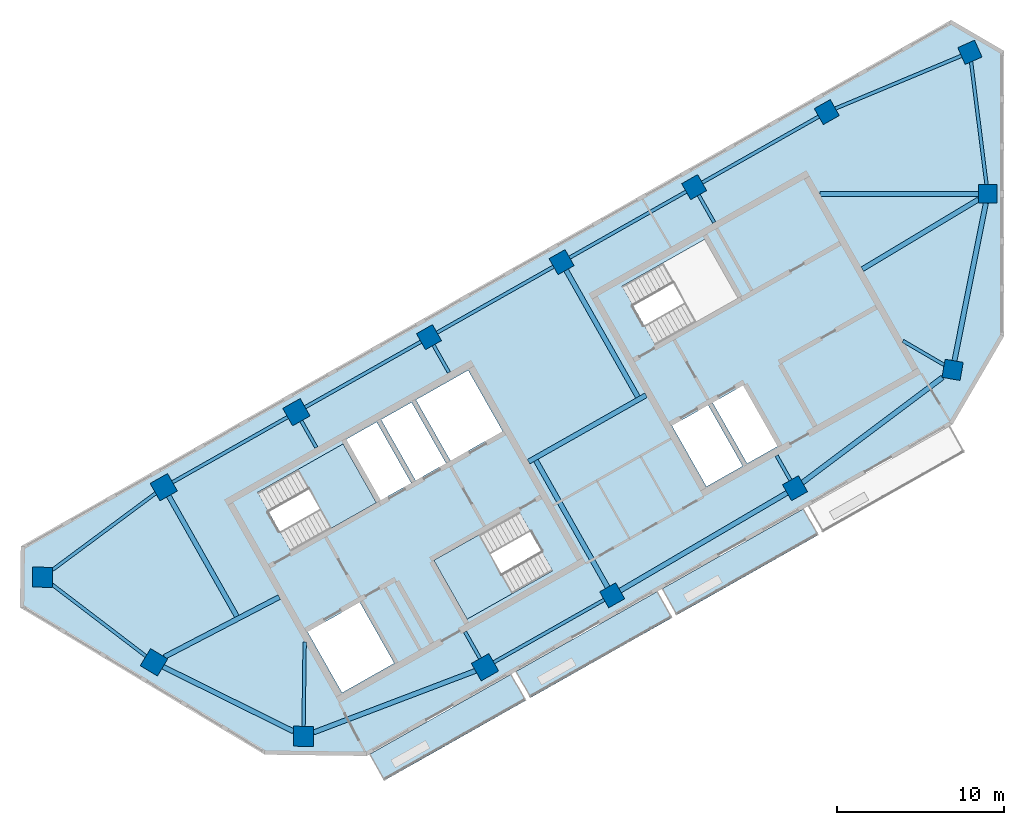
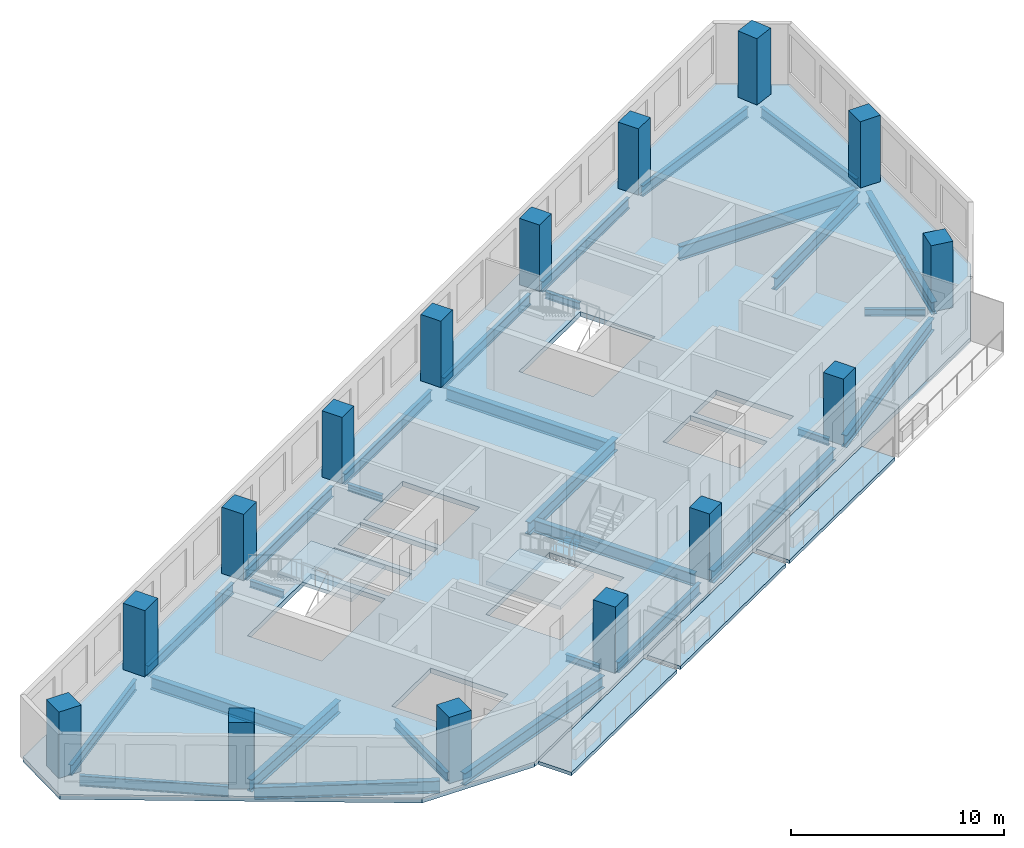
# One storey, part 1 of 7: 29 beams, 15 columns, 6 slabs, 2 elements without a shape of their own.
"""IFC4 building model written with IfcOpenShell, lengths in metres."""

from ifc_helpers import new_model, si_unit, direction, frame, origin, origin_2d, place, context, subcontext, project, spatial, polyline, rectangle, i_section, outline, extrude, material, layer, layer_set, material_profile, profile_set, type_object, element, aggregate, save


model = new_model("IFC4")

# Units and contexts
model_context = context("Model", 3, precision=1e-05, world=origin(), true_north=direction((0.0, 1.0)))
body_context = subcontext(model_context, "Body", "Model", "MODEL_VIEW")
ifc_project = project(units=[si_unit("LENGTHUNIT", "METRE"), si_unit("AREAUNIT", "SQUARE_METRE"), si_unit("VOLUMEUNIT", "CUBIC_METRE"), si_unit("PLANEANGLEUNIT", "RADIAN"), si_unit("MASSUNIT", "GRAM", prefix="KILO")], contexts=[model_context])

# Site, building, storey
site_placement = place(None, origin())
site = spatial("IfcSite", under=ifc_project, at=site_placement, CompositionType="ELEMENT")
building_placement = place(site_placement, origin())
building = spatial("IfcBuilding", under=site, at=building_placement, Name="Binnacle Exchange Tower", CompositionType="ELEMENT")
storey_placement = place(building_placement, frame((0.0, 0.0, 304.5)))
storey = spatial("IfcBuildingStorey", under=building, at=storey_placement, Name="L68", CompositionType="ELEMENT", Elevation=304.5)

# Columns
ifc_material_1 = material(Name="Concrete C60/75", Category="concrete")
ifc_material_profile_1 = material_profile(ifc_material_1, rectangle(XDim=1.10009765625, YDim=1.10009765625, at=origin_2d()), Name="Mega column 1100x1100 C60/75")
ifc_profile_set_1 = profile_set([ifc_material_profile_1], Name="Concrete C60/75")
column_type_1 = type_object("IfcColumnType", Name="Mega column 1100x1100 C60/75", PredefinedType="COLUMN", material=ifc_profile_set_1)
for number, where, z_axis, x_axis, name in (
    (1, (-10.4951171875, 64.901611328125, 0.0), (0.0, 0.0, 1.0), (-0.87035569594, -0.492423560103, 0.0), "S:COL:MC38:L68"),
    (2, (-18.44140625, 60.406005859375, 0.0), (0.0, 0.0, 1.0), (-0.87035569594, -0.492423560103, 0.0), "S:COL:MC29:L68"),
    (3, (-26.3876953125, 55.91015625, 0.0), (0.0, 0.0, 1.0), (-0.87035569594, -0.492423560103, 0.0), "S:COL:MC21:L68"),
    (4, (-34.333740234375, 51.414306640625, 0.0), (0.0, 0.0, 1.0), (-0.87035569594, -0.492423560103, 0.0), "S:COL:MC13:L68"),
    (5, (-23.35595703125, 35.9462890625, 0.0), (0.0, 0.0, 1.0), (0.87035569594, 0.492423560103, 0.0), "S:COL:MC16:L68"),
    (6, (-2.955322265625, 49.45556640625, 0.0), (0.0, 0.0, 1.0), (-0.98522612636, 0.171258517854, 0.0), "S:COL:MC43:L68"),
    (7, (-0.85009765625, 60.0, 0.0), (0.0, 0.0, 1.0), (0.0, 1.0, 0.0), "S:COL:MC45:L68"),
    (8, (-1.920166015625, 68.4833984375, 0.0), (0.0, 0.0, 1.0), (-0.91471298536, -0.40410413808, 0.0), "S:COL:MC44:L68"),
    (9, (-12.39990234375, 42.36328125, 0.0), (0.0, 0.0, 1.0), (0.87035569594, 0.492423560103, 0.0), "S:COL:MC30:L68"),
):
    element("IfcColumn", number, at=place(storey_placement, frame(where, z_axis=z_axis, x_axis=x_axis)), inside=storey, type_object=column_type_1, Name=name, PredefinedType="COLUMN", context=body_context, shape_type="SweptSolid", body=[
        extrude(rectangle(XDim=1.10009765625, YDim=1.10009765625, at=origin_2d()), origin(), (0.0, 0.0, 1.0), 3.800048828125),
    ])
ifc_material_profile_2 = material_profile(ifc_material_1, rectangle(XDim=1.199951171875, YDim=1.199951171875, at=origin_2d()), Name="Mega column 1200x1200 C60/75")
ifc_profile_set_2 = profile_set([ifc_material_profile_2], Name="Concrete C60/75")
column_type_2 = type_object("IfcColumnType", Name="Mega column 1200x1200 C60/75", PredefinedType="COLUMN", material=ifc_profile_set_2)
for number, where, z_axis, x_axis, name in (
    (10, (-42.280029296875, 46.918701171875, 0.0), (0.0, 0.0, 1.0), (-0.87035569594, -0.492423560103, 0.0), "S:COL:MC08:L68"),
    (11, (-50.226318359375, 42.4228515625, 0.0), (0.0, 0.0, 1.0), (-0.87035569594, -0.492423560103, 0.0), "S:COL:MC04:L68"),
    (12, (-57.492919921875, 37.02734375, 0.0), (0.0, 0.0, 1.0), (-0.013089595571, -0.999914327574, 0.0), "S:COL:MC02:L68"),
    (13, (-50.81201171875, 31.930908203125, 0.0), (0.0, 0.0, 1.0), (0.857167300702, -0.51503807491, 0.0), "S:COL:MC01:L68"),
    (14, (-41.857666015625, 27.494873046875, 0.0), (0.0, 0.0, 1.0), (0.999914327574, -0.013089595571, 0.0), "S:COL:MC03:L68"),
    (15, (-30.9755859375, 31.63525390625, 0.0), (0.0, 0.0, 1.0), (0.87035569594, 0.492423560103, 0.0), "S:COL:MC07:L68"),
):
    element("IfcColumn", number, at=place(storey_placement, frame(where, z_axis=z_axis, x_axis=x_axis)), inside=storey, type_object=column_type_2, Name=name, PredefinedType="COLUMN", context=body_context, shape_type="SweptSolid", body=[
        extrude(rectangle(XDim=1.199951171875, YDim=1.199951171875, at=origin_2d()), origin(), (0.0, 0.0, 1.0), 3.800048828125),
    ])

# Beams
ifc_material_2 = material(Name="Steel S355 (SHN355)", Category="steel")
ifc_material_profile_3 = material_profile(ifc_material_2, i_section(OverallWidth=0.199951171875, OverallDepth=0.60009765625, WebThickness=0.010986328125, FlangeThickness=0.01708984375, FilletRadius=0.02197265625, at=origin_2d()), Name="H 600x200x11x17")
ifc_profile_set_3 = profile_set([ifc_material_profile_3], Name="Steel S355 (SHN355)")
beam_type_1 = type_object("IfcBeamType", Name="Edge girder H 600x200x11x17 Steel S355 (SHN355)", PredefinedType="SPANDREL", material=ifc_profile_set_3)
beam_1_placement = place(storey_placement, frame((-56.89892578125, 36.57421875, -0.580078125), z_axis=(0.795079526259, -0.606505191176, 0.0), x_axis=(0.606505191176, 0.795079526259, 0.0)))
element("IfcBeam", 16, at=beam_1_placement, inside=storey, type_object=beam_type_1, Name="S:BM:edge:L68:004", PredefinedType="SPANDREL", context=body_context, shape_type="SweptSolid", body=[
    extrude(i_section(OverallWidth=0.199951171875, OverallDepth=0.60009765625, WebThickness=0.010986328125, FlangeThickness=0.01708984375, FilletRadius=0.02197265625, at=origin_2d()), origin(), (0.0, 0.0, 1.0), 7.052001953125),
])
ifc_material_profile_4 = material_profile(ifc_material_2, i_section(OverallWidth=0.200927734375, OverallDepth=0.60595703125, WebThickness=0.011962890625, FlangeThickness=0.02001953125, FilletRadius=0.02197265625, at=origin_2d()), Name="H 606x201x12x20")
ifc_profile_set_4 = profile_set([ifc_material_profile_4], Name="Steel S355 (SHN355)")
beam_type_2 = type_object("IfcBeamType", Name="Edge girder H 606x201x12x20 Steel S355 (SHN355)", PredefinedType="SPANDREL", material=ifc_profile_set_4)
beam_2_placement = place(storey_placement, frame((-50.711669921875, 42.0625, -0.5830078125), z_axis=(-0.802889255085, -0.596128211099, 0.0), x_axis=(0.596128211099, -0.802889255085, 0.0)))
element("IfcBeam", 17, at=beam_2_placement, inside=storey, type_object=beam_type_2, Name="S:BM:edge:L68:005", PredefinedType="SPANDREL", context=body_context, shape_type="SweptSolid", body=[
    extrude(i_section(OverallWidth=0.200927734375, OverallDepth=0.60595703125, WebThickness=0.011962890625, FlangeThickness=0.02001953125, FilletRadius=0.02197265625, at=origin_2d()), origin(), (0.0, 0.0, 1.0), 7.691650390625),
])
beam_3_placement = place(storey_placement, frame((-30.453369140625, 31.930908203125, -0.5830078125), z_axis=(0.870370831478, 0.49239680717, 0.0), x_axis=(-0.49239680717, 0.870370831478, 0.0)))
element("IfcBeam", 18, at=beam_3_placement, inside=storey, type_object=beam_type_2, Name="S:BM:edge:L68:010", PredefinedType="SPANDREL", context=body_context, shape_type="SweptSolid", body=[
    extrude(i_section(OverallWidth=0.200927734375, OverallDepth=0.60595703125, WebThickness=0.011962890625, FlangeThickness=0.02001953125, FilletRadius=0.02197265625, at=origin_2d()), origin(), (0.0, 0.0, 1.0), 7.6044921875),
])
beam_4_placement = place(storey_placement, frame((-0.91943359375, 60.550048828125, -0.5830078125), z_axis=(-0.125160121745, 0.992136555079, 0.0), x_axis=(-0.992136555079, -0.125160121745, 0.0)))
element("IfcBeam", 19, at=beam_4_placement, inside=storey, type_object=beam_type_2, Name="S:BM:edge:L68:018", PredefinedType="SPANDREL", context=body_context, shape_type="SweptSolid", body=[
    extrude(i_section(OverallWidth=0.200927734375, OverallDepth=0.60595703125, WebThickness=0.011962890625, FlangeThickness=0.02001953125, FilletRadius=0.02197265625, at=origin_2d()), origin(), (0.0, 0.0, 1.0), 7.422119140625),
])
ifc_material_profile_5 = material_profile(ifc_material_2, i_section(OverallWidth=0.201904296875, OverallDepth=0.612060546875, WebThickness=0.012939453125, FlangeThickness=0.02294921875, FilletRadius=0.02197265625, at=origin_2d()), Name="H 612x202x13x23")
ifc_profile_set_5 = profile_set([ifc_material_profile_5], Name="Steel S355 (SHN355)")
beam_type_3 = type_object("IfcBeamType", Name="Edge girder H 612x202x13x23 Steel S355 (SHN355)", PredefinedType="SPANDREL", material=ifc_profile_set_5)
beam_5_placement = place(storey_placement, frame((-42.80224609375, 46.623291015625, -0.5859375), z_axis=(-0.870360926906, -0.492414314288, 0.0), x_axis=(0.492414314288, -0.870360926906, 0.0)))
element("IfcBeam", 20, at=beam_5_placement, inside=storey, type_object=beam_type_3, Name="S:BM:edge:L68:007", PredefinedType="SPANDREL", context=body_context, shape_type="SweptSolid", body=[
    extrude(i_section(OverallWidth=0.201904296875, OverallDepth=0.612060546875, WebThickness=0.012939453125, FlangeThickness=0.02294921875, FilletRadius=0.02197265625, at=origin_2d()), origin(), (0.0, 0.0, 1.0), 7.929931640625),
])
beam_6_placement = place(storey_placement, frame((-34.8125, 51.1435546875, -0.5859375), z_axis=(-0.870357059543, -0.492421149935, 0.0), x_axis=(0.492421149935, -0.870357059543, 0.0)))
element("IfcBeam", 21, at=beam_6_placement, inside=storey, type_object=beam_type_3, Name="S:BM:edge:L68:009", PredefinedType="SPANDREL", context=body_context, shape_type="SweptSolid", body=[
    extrude(i_section(OverallWidth=0.201904296875, OverallDepth=0.612060546875, WebThickness=0.012939453125, FlangeThickness=0.02294921875, FilletRadius=0.02197265625, at=origin_2d()), origin(), (0.0, 0.0, 1.0), 7.979736328125),
])
beam_7_placement = place(storey_placement, frame((-26.8662109375, 55.639404296875, -0.5859375), z_axis=(-0.870353240257, -0.492427900482, 0.0), x_axis=(0.492427900482, -0.870353240257, 0.0)))
element("IfcBeam", 22, at=beam_7_placement, inside=storey, type_object=beam_type_3, Name="S:BM:edge:L68:011", PredefinedType="SPANDREL", context=body_context, shape_type="SweptSolid", body=[
    extrude(i_section(OverallWidth=0.201904296875, OverallDepth=0.612060546875, WebThickness=0.012939453125, FlangeThickness=0.02294921875, FilletRadius=0.02197265625, at=origin_2d()), origin(), (0.0, 0.0, 1.0), 8.02978515625),
])
beam_8_placement = place(storey_placement, frame((-18.919921875, 60.13525390625, -0.5859375), z_axis=(-0.870347582166, -0.492437900875, 0.0), x_axis=(0.492437900875, -0.870347582166, 0.0)))
element("IfcBeam", 23, at=beam_8_placement, inside=storey, type_object=beam_type_3, Name="S:BM:edge:L68:013", PredefinedType="SPANDREL", context=body_context, shape_type="SweptSolid", body=[
    extrude(i_section(OverallWidth=0.201904296875, OverallDepth=0.612060546875, WebThickness=0.012939453125, FlangeThickness=0.02294921875, FilletRadius=0.02197265625, at=origin_2d()), origin(), (0.0, 0.0, 1.0), 8.030029296875),
])
beam_9_placement = place(storey_placement, frame((-10.973876953125, 64.630859375, -0.5859375), z_axis=(-0.870353240257, -0.492427900482, 0.0), x_axis=(0.492427900482, -0.870353240257, 0.0)))
element("IfcBeam", 24, at=beam_9_placement, inside=storey, type_object=beam_type_3, Name="S:BM:edge:L68:015", PredefinedType="SPANDREL", context=body_context, shape_type="SweptSolid", body=[
    extrude(i_section(OverallWidth=0.201904296875, OverallDepth=0.612060546875, WebThickness=0.012939453125, FlangeThickness=0.02294921875, FilletRadius=0.02197265625, at=origin_2d()), origin(), (0.0, 0.0, 1.0), 8.02978515625),
])
beam_10_placement = place(storey_placement, frame((-2.427734375, 68.271240234375, -0.5859375), z_axis=(-0.922746687756, -0.385406992977, 0.0), x_axis=(0.385406992977, -0.922746687756, 0.0)))
element("IfcBeam", 25, at=beam_10_placement, inside=storey, type_object=beam_type_3, Name="S:BM:edge:L68:017", PredefinedType="SPANDREL", context=body_context, shape_type="SweptSolid", body=[
    extrude(i_section(OverallWidth=0.201904296875, OverallDepth=0.612060546875, WebThickness=0.012939453125, FlangeThickness=0.02294921875, FilletRadius=0.02197265625, at=origin_2d()), origin(), (0.0, 0.0, 1.0), 8.188720703125),
])
ifc_material_profile_6 = material_profile(ifc_material_2, i_section(OverallWidth=0.300048828125, OverallDepth=0.699951171875, WebThickness=0.012939453125, FlangeThickness=0.02392578125, FilletRadius=0.028076171875, at=origin_2d()), Name="H 700x300x13x24")
ifc_profile_set_6 = profile_set([ifc_material_profile_6], Name="Steel S355 (SHN355)")
beam_type_4 = type_object("IfcBeamType", Name="Edge girder H 700x300x13x24 Steel S355 (SHN355)", PredefinedType="SPANDREL", material=ifc_profile_set_6)
beam_11_placement = place(storey_placement, frame((-50.272705078125, 31.663818359375, -0.6298828125), z_axis=(0.896066323919, -0.443920199066, 0.0), x_axis=(0.443920199066, 0.896066323919, 0.0)))
element("IfcBeam", 26, at=beam_11_placement, inside=storey, type_object=beam_type_4, Name="S:BM:edge:L68:006", PredefinedType="SPANDREL", context=body_context, shape_type="SweptSolid", body=[
    extrude(i_section(OverallWidth=0.300048828125, OverallDepth=0.699951171875, WebThickness=0.012939453125, FlangeThickness=0.02392578125, FilletRadius=0.028076171875, at=origin_2d()), origin(), (0.0, 0.0, 1.0), 8.725830078125),
])
beam_12_placement = place(storey_placement, frame((-41.254638671875, 27.724365234375, -0.6298828125), z_axis=(0.934635421438, 0.355607408519, 0.0), x_axis=(-0.355607408519, 0.934635421438, 0.0)))
element("IfcBeam", 27, at=beam_12_placement, inside=storey, type_object=beam_type_4, Name="S:BM:edge:L68:008", PredefinedType="SPANDREL", context=body_context, shape_type="SweptSolid", body=[
    extrude(i_section(OverallWidth=0.300048828125, OverallDepth=0.699951171875, WebThickness=0.012939453125, FlangeThickness=0.02392578125, FilletRadius=0.028076171875, at=origin_2d()), origin(), (0.0, 0.0, 1.0), 10.390869140625),
])
beam_13_placement = place(storey_placement, frame((-11.95654296875, 42.6962890625, -0.6298828125), z_axis=(0.799642767002, 0.600476015493, 0.0), x_axis=(-0.600476015493, 0.799642767002, 0.0)))
element("IfcBeam", 28, at=beam_13_placement, inside=storey, type_object=beam_type_4, Name="S:BM:edge:L68:014", PredefinedType="SPANDREL", context=body_context, shape_type="SweptSolid", body=[
    extrude(i_section(OverallWidth=0.300048828125, OverallDepth=0.699951171875, WebThickness=0.012939453125, FlangeThickness=0.02392578125, FilletRadius=0.028076171875, at=origin_2d()), origin(), (0.0, 0.0, 1.0), 10.50146484375),
])
beam_14_placement = place(storey_placement, frame((-2.84765625, 49.9951171875, -0.6298828125), z_axis=(0.195814210945, 0.980641012191, 0.0), x_axis=(-0.980641012191, 0.195814210945, 0.0)))
element("IfcBeam", 29, at=beam_14_placement, inside=storey, type_object=beam_type_4, Name="S:BM:edge:L68:016", PredefinedType="SPANDREL", context=body_context, shape_type="SweptSolid", body=[
    extrude(i_section(OverallWidth=0.300048828125, OverallDepth=0.699951171875, WebThickness=0.012939453125, FlangeThickness=0.02392578125, FilletRadius=0.028076171875, at=origin_2d()), origin(), (0.0, 0.0, 1.0), 9.6416015625),
])
ifc_material_profile_7 = material_profile(ifc_material_2, i_section(OverallWidth=0.302001953125, OverallDepth=0.7080078125, WebThickness=0.014892578125, FlangeThickness=0.028076171875, FilletRadius=0.028076171875, at=origin_2d()), Name="H 708x302x15x28")
ifc_profile_set_7 = profile_set([ifc_material_profile_7], Name="Steel S355 (SHN355)")
beam_type_5 = type_object("IfcBeamType", Name="Edge girder H 708x302x15x28 Steel S355 (SHN355)", PredefinedType="SPANDREL", material=ifc_profile_set_7)
beam_15_placement = place(storey_placement, frame((-22.88134765625, 36.22412109375, -0.634033203125), z_axis=(0.86288572191, 0.50539908085, 0.0), x_axis=(-0.50539908085, 0.86288572191, 0.0)))
element("IfcBeam", 30, at=beam_15_placement, inside=storey, type_object=beam_type_5, Name="S:BM:edge:L68:012", PredefinedType="SPANDREL", context=body_context, shape_type="SweptSolid", body=[
    extrude(i_section(OverallWidth=0.302001953125, OverallDepth=0.7080078125, WebThickness=0.014892578125, FlangeThickness=0.028076171875, FilletRadius=0.028076171875, at=origin_2d()), origin(), (0.0, 0.0, 1.0), 11.596923828125),
])
ifc_material_profile_8 = material_profile(ifc_material_2, i_section(OverallWidth=0.199951171875, OverallDepth=0.39990234375, WebThickness=0.008056640625, FlangeThickness=0.012939453125, FilletRadius=0.01611328125, at=origin_2d()), Name="H 400x200x8x13")
ifc_profile_set_8 = profile_set([ifc_material_profile_8], Name="Steel S355 (SHN355)")
beam_type_6 = type_object("IfcBeamType", Name="Floor beam H 400x200x8x13 Steel S355 (SHN355)", PredefinedType="BEAM", material=ifc_profile_set_8)
beam_16_placement = place(storey_placement, frame((-41.984619140625, 46.396484375, -0.47998046875), z_axis=(0.492465079532, -0.87033220407, 0.0), x_axis=(0.87033220407, 0.492465079532, 0.0)))
element("IfcBeam", 31, at=beam_16_placement, inside=storey, type_object=beam_type_6, Name="S:BM:cross:L68:020", PredefinedType="BEAM", context=body_context, shape_type="SweptSolid", body=[
    extrude(i_section(OverallWidth=0.199951171875, OverallDepth=0.39990234375, WebThickness=0.008056640625, FlangeThickness=0.012939453125, FilletRadius=0.01611328125, at=origin_2d()), origin(), (0.0, 0.0, 1.0), 1.834228515625),
])
beam_17_placement = place(storey_placement, frame((-34.06298828125, 50.935791015625, -0.47998046875), z_axis=(0.492437150105, -0.870348006947, 0.0), x_axis=(0.870348006947, 0.492437150105, 0.0)))
element("IfcBeam", 32, at=beam_17_placement, inside=storey, type_object=beam_type_6, Name="S:BM:cross:L68:022", PredefinedType="BEAM", context=body_context, shape_type="SweptSolid", body=[
    extrude(i_section(OverallWidth=0.199951171875, OverallDepth=0.39990234375, WebThickness=0.008056640625, FlangeThickness=0.012939453125, FilletRadius=0.01611328125, at=origin_2d()), origin(), (0.0, 0.0, 1.0), 1.884521484375),
])
beam_18_placement = place(storey_placement, frame((-31.27099609375, 32.157470703125, -0.47998046875), z_axis=(-0.492465079532, 0.87033220407, 0.0), x_axis=(-0.87033220407, -0.492465079532, 0.0)))
element("IfcBeam", 33, at=beam_18_placement, inside=storey, type_object=beam_type_6, Name="S:BM:cross:L68:023", PredefinedType="BEAM", context=body_context, shape_type="SweptSolid", body=[
    extrude(i_section(OverallWidth=0.199951171875, OverallDepth=0.39990234375, WebThickness=0.008056640625, FlangeThickness=0.012939453125, FilletRadius=0.01611328125, at=origin_2d()), origin(), (0.0, 0.0, 1.0), 1.834228515625),
])
beam_19_placement = place(storey_placement, frame((-18.17041015625, 59.92724609375, -0.47998046875), z_axis=(0.492394529663, -0.870372119934, 0.0), x_axis=(0.870372119934, 0.492394529663, 0.0)))
element("IfcBeam", 34, at=beam_19_placement, inside=storey, type_object=beam_type_6, Name="S:BM:cross:L68:026", PredefinedType="BEAM", context=body_context, shape_type="SweptSolid", body=[
    extrude(i_section(OverallWidth=0.199951171875, OverallDepth=0.39990234375, WebThickness=0.008056640625, FlangeThickness=0.012939453125, FilletRadius=0.01611328125, at=origin_2d()), origin(), (0.0, 0.0, 1.0), 1.884033203125),
])
beam_20_placement = place(storey_placement, frame((-12.6708984375, 42.841796875, -0.47998046875), z_axis=(-0.492394350893, 0.870372221069, 0.0), x_axis=(-0.870372221069, -0.492394350893, 0.0)))
element("IfcBeam", 35, at=beam_20_placement, inside=storey, type_object=beam_type_6, Name="S:BM:cross:L68:027", PredefinedType="BEAM", context=body_context, shape_type="SweptSolid", body=[
    extrude(i_section(OverallWidth=0.199951171875, OverallDepth=0.39990234375, WebThickness=0.008056640625, FlangeThickness=0.012939453125, FilletRadius=0.01611328125, at=origin_2d()), origin(), (0.0, 0.0, 1.0), 1.6943359375),
])
beam_21_placement = place(storey_placement, frame((-3.46240234375, 49.751220703125, -0.47998046875), z_axis=(-0.863840862356, 0.503764790874, 0.0), x_axis=(-0.503764790874, -0.863840862356, 0.0)))
element("IfcBeam", 36, at=beam_21_placement, inside=storey, type_object=beam_type_6, Name="S:BM:cross:L68:028", PredefinedType="BEAM", context=body_context, shape_type="SweptSolid", body=[
    extrude(i_section(OverallWidth=0.199951171875, OverallDepth=0.39990234375, WebThickness=0.008056640625, FlangeThickness=0.012939453125, FilletRadius=0.01611328125, at=origin_2d()), origin(), (0.0, 0.0, 1.0), 2.85791015625),
])
ifc_material_profile_9 = material_profile(ifc_material_2, i_section(OverallWidth=0.200927734375, OverallDepth=0.506103515625, WebThickness=0.010986328125, FlangeThickness=0.01904296875, FilletRadius=0.02001953125, at=origin_2d()), Name="H 506x201x11x19")
ifc_profile_set_9 = profile_set([ifc_material_profile_9], Name="Steel S355 (SHN355)")
beam_type_7 = type_object("IfcBeamType", Name="Floor beam H 506x201x11x19 Steel S355 (SHN355)", PredefinedType="BEAM", material=ifc_profile_set_9)
beam_22_placement = place(storey_placement, frame((-41.849853515625, 28.0947265625, -0.532958984375), z_axis=(0.013099523714, 0.999914197558, 0.0), x_axis=(-0.999914197558, 0.013099523714, 0.0)))
element("IfcBeam", 37, at=beam_22_placement, inside=storey, type_object=beam_type_7, Name="S:BM:cross:L68:021", PredefinedType="BEAM", context=body_context, shape_type="SweptSolid", body=[
    extrude(i_section(OverallWidth=0.200927734375, OverallDepth=0.506103515625, WebThickness=0.010986328125, FlangeThickness=0.01904296875, FilletRadius=0.02001953125, at=origin_2d()), origin(), (0.0, 0.0, 1.0), 5.05078125),
])
ifc_material_profile_10 = material_profile(ifc_material_2, i_section(OverallWidth=0.300048828125, OverallDepth=0.699951171875, WebThickness=0.012939453125, FlangeThickness=0.02392578125, FilletRadius=0.028076171875, at=origin_2d()), Name="H 700x300x13x24")
ifc_profile_set_10 = profile_set([ifc_material_profile_10], Name="Steel S355 (SHN355)")
beam_type_8 = type_object("IfcBeamType", Name="Floor beam H 700x300x13x24 Steel S355 (SHN355)", PredefinedType="BEAM", material=ifc_profile_set_10)
beam_23_placement = place(storey_placement, frame((-49.9306640625, 41.900634765625, -0.6298828125), z_axis=(0.492421066821, -0.870357106566, 0.0), x_axis=(0.870357106566, 0.492421066821, 0.0)))
element("IfcBeam", 38, at=beam_23_placement, inside=storey, type_object=beam_type_8, Name="S:BM:cross:L68:019", PredefinedType="BEAM", context=body_context, shape_type="SweptSolid", body=[
    extrude(i_section(OverallWidth=0.300048828125, OverallDepth=0.699951171875, WebThickness=0.012939453125, FlangeThickness=0.02392578125, FilletRadius=0.028076171875, at=origin_2d()), origin(), (0.0, 0.0, 1.0), 8.291259765625),
])
ifc_material_profile_11 = material_profile(ifc_material_2, i_section(OverallWidth=0.302001953125, OverallDepth=0.7080078125, WebThickness=0.014892578125, FlangeThickness=0.028076171875, FilletRadius=0.028076171875, at=origin_2d()), Name="H 708x302x15x28")
ifc_profile_set_11 = profile_set([ifc_material_profile_11], Name="Steel S355 (SHN355)")
beam_type_9 = type_object("IfcBeamType", Name="Floor beam H 708x302x15x28 Steel S355 (SHN355)", PredefinedType="BEAM", material=ifc_profile_set_11)
beam_24_placement = place(storey_placement, frame((-26.11669921875, 55.431396484375, -0.634033203125), z_axis=(0.492413671625, -0.870361290497, 0.0), x_axis=(0.870361290497, 0.492413671625, 0.0)))
element("IfcBeam", 39, at=beam_24_placement, inside=storey, type_object=beam_type_9, Name="S:BM:cross:L68:024", PredefinedType="BEAM", context=body_context, shape_type="SweptSolid", body=[
    extrude(i_section(OverallWidth=0.302001953125, OverallDepth=0.7080078125, WebThickness=0.014892578125, FlangeThickness=0.028076171875, FilletRadius=0.028076171875, at=origin_2d()), origin(), (0.0, 0.0, 1.0), 8.734130859375),
])
beam_25_placement = place(storey_placement, frame((-23.626708984375, 36.4248046875, -0.634033203125), z_axis=(-0.492422866295, 0.870356088477, 0.0), x_axis=(-0.870356088477, -0.492422866295, 0.0)))
element("IfcBeam", 40, at=beam_25_placement, inside=storey, type_object=beam_type_9, Name="S:BM:cross:L68:025", PredefinedType="BEAM", context=body_context, shape_type="SweptSolid", body=[
    extrude(i_section(OverallWidth=0.302001953125, OverallDepth=0.7080078125, WebThickness=0.014892578125, FlangeThickness=0.028076171875, FilletRadius=0.028076171875, at=origin_2d()), origin(), (0.0, 0.0, 1.0), 8.734375),
])
ifc_material_profile_12 = material_profile(ifc_material_2, i_section(OverallWidth=0.300048828125, OverallDepth=0.800048828125, WebThickness=0.013916015625, FlangeThickness=0.02587890625, FilletRadius=0.028076171875, at=origin_2d()), Name="H 800x300x14x26")
ifc_profile_set_12 = profile_set([ifc_material_profile_12], Name="Steel S355 (SHN355)")
beam_type_10 = type_object("IfcBeamType", Name="Floor beam H 800x300x14x26 Steel S355 (SHN355)", PredefinedType="BEAM", material=ifc_profile_set_12)
beam_26_placement = place(storey_placement, frame((-1.39990234375, 60.0, -0.679931640625), z_axis=(-1.0, 0.0, 0.0), x_axis=(0.0, -1.0, 0.0)))
element("IfcBeam", 41, at=beam_26_placement, inside=storey, type_object=beam_type_10, Name="S:BM:cross:L68:029", PredefinedType="BEAM", context=body_context, shape_type="SweptSolid", body=[
    extrude(i_section(OverallWidth=0.300048828125, OverallDepth=0.800048828125, WebThickness=0.013916015625, FlangeThickness=0.02587890625, FilletRadius=0.028076171875, at=origin_2d()), origin(), (0.0, 0.0, 1.0), 9.51513671875),
])
ifc_material_profile_13 = material_profile(ifc_material_2, i_section(OverallWidth=0.300048828125, OverallDepth=0.699951171875, WebThickness=0.012939453125, FlangeThickness=0.02392578125, FilletRadius=0.028076171875, at=origin_2d()), Name="H 700x300x13x24")
ifc_profile_set_13 = profile_set([ifc_material_profile_13], Name="Steel S355 (SHN355)")
beam_type_11 = type_object("IfcBeamType", Name="Spine girder H 700x300x13x24 Steel S355 (SHN355)", PredefinedType="BEAM", material=ifc_profile_set_13)
beam_27_placement = place(storey_placement, frame((-50.18798828125, 32.255859375, -0.6298828125), z_axis=(0.886980159322, 0.461807532387, 0.0), x_axis=(-0.461807532387, 0.886980159322, 0.0)))
element("IfcBeam", 42, at=beam_27_placement, inside=storey, type_object=beam_type_11, Name="S:BM:spine:L68:001", PredefinedType="BEAM", context=body_context, shape_type="SweptSolid", body=[
    extrude(i_section(OverallWidth=0.300048828125, OverallDepth=0.699951171875, WebThickness=0.012939453125, FlangeThickness=0.02392578125, FilletRadius=0.028076171875, at=origin_2d()), origin(), (0.0, 0.0, 1.0), 7.757080078125),
])
beam_28_placement = place(storey_placement, frame((-8.36328125, 55.489990234375, -0.6298828125), z_axis=(0.857389464427, 0.514668151618, 0.0), x_axis=(-0.514668151618, 0.857389464427, 0.0)))
element("IfcBeam", 43, at=beam_28_placement, inside=storey, type_object=beam_type_11, Name="S:BM:spine:L68:003", PredefinedType="BEAM", context=body_context, shape_type="SweptSolid", body=[
    extrude(i_section(OverallWidth=0.300048828125, OverallDepth=0.699951171875, WebThickness=0.012939453125, FlangeThickness=0.02392578125, FilletRadius=0.028076171875, at=origin_2d()), origin(), (0.0, 0.0, 1.0), 8.12158203125),
])
ifc_material_profile_14 = material_profile(ifc_material_2, i_section(OverallWidth=0.302001953125, OverallDepth=0.7080078125, WebThickness=0.014892578125, FlangeThickness=0.028076171875, FilletRadius=0.028076171875, at=origin_2d()), Name="H 708x302x15x28")
ifc_profile_set_14 = profile_set([ifc_material_profile_14], Name="Steel S355 (SHN355)")
beam_type_12 = type_object("IfcBeamType", Name="Spine girder H 708x302x15x28 Steel S355 (SHN355)", PredefinedType="BEAM", material=ifc_profile_set_14)
beam_29_placement = place(storey_placement, frame((-28.365478515625, 43.951416015625, -0.634033203125), z_axis=(0.870350319004, 0.492433063684, 0.0), x_axis=(-0.492433063684, 0.870350319004, 0.0)))
element("IfcBeam", 44, at=beam_29_placement, inside=storey, type_object=beam_type_12, Name="S:BM:spine:L68:002", PredefinedType="BEAM", context=body_context, shape_type="SweptSolid", body=[
    extrude(i_section(OverallWidth=0.302001953125, OverallDepth=0.7080078125, WebThickness=0.014892578125, FlangeThickness=0.028076171875, FilletRadius=0.028076171875, at=origin_2d()), origin(), (0.0, 0.0, 1.0), 8.0908203125),
])

# Slabs
ifc_material_3 = material(Name="Concrete C35/45", Category="concrete")
ifc_layer_1 = layer(ifc_material_3, 0.199951171875)
ifc_layer_set_1 = layer_set([ifc_layer_1], Name="BALCONY SLAB 200")
slab_type_1 = type_object("IfcSlabType", Name="BALCONY SLAB 200", PredefinedType="FLOOR", material=ifc_layer_set_1)
slab_1_placement = place(storey_placement, frame((0.0, 0.0, -0.199951171875)))
element("IfcSlab", 45, at=slab_1_placement, inside=storey, type_object=slab_type_1, Name="Balcony BA-H07-00 L68", PredefinedType="FLOOR", context=body_context, shape_type="SweptSolid", body=[
    extrude(outline(polyline([(-37.90576171875, 26.410400390625), (-29.40380859375, 31.220458984375), (-28.517578125, 29.65380859375), (-37.019287109375, 24.84375), (-37.90576171875, 26.410400390625)])), origin(), (0.0, 0.0, 1.0), 0.199951171875),
])
slab_2_placement = place(storey_placement, frame((0.0, 0.0, -0.199951171875)))
element("IfcSlab", 46, at=slab_2_placement, inside=storey, type_object=slab_type_1, Name="Balcony BA-H07-01 L68", PredefinedType="FLOOR", context=body_context, shape_type="SweptSolid", body=[
    extrude(outline(polyline([(-29.142822265625, 31.3681640625), (-20.64111328125, 36.17822265625), (-19.754638671875, 34.611572265625), (-28.25634765625, 29.801513671875), (-29.142822265625, 31.3681640625)])), origin(), (0.0, 0.0, 1.0), 0.199951171875),
])
slab_3_placement = place(storey_placement, frame((0.0, 0.0, -0.199951171875)))
element("IfcSlab", 47, at=slab_3_placement, inside=storey, type_object=slab_type_1, Name="Balcony BA-H07-02 L68", PredefinedType="FLOOR", context=body_context, shape_type="SweptSolid", body=[
    extrude(outline(polyline([(-20.3798828125, 36.325927734375), (-11.878173828125, 41.135986328125), (-10.99169921875, 39.5693359375), (-19.493408203125, 34.759521484375), (-20.3798828125, 36.325927734375)])), origin(), (0.0, 0.0, 1.0), 0.199951171875),
])
ifc_layer_2 = layer(ifc_material_3, 0.280029296875)
ifc_layer_set_2 = layer_set([ifc_layer_2], Name="Floor slab 280 Concrete C35/45")
slab_type_2 = type_object("IfcSlabType", Name="Floor slab 280 Concrete C35/45", PredefinedType="FLOOR", material=ifc_layer_set_2)
slab_4_placement = place(storey_placement, frame((0.0, 0.0, -0.280029296875)))
element("IfcSlab", 48, at=slab_4_placement, inside=storey, type_object=slab_type_2, Name="S:SL:L68:01", PredefinedType="FLOOR", context=body_context, shape_type="SweptSolid", body=[
    extrude(outline(polyline([(-38.097900390625, 26.4453125), (-44.14404296875, 26.5244140625), (-58.716064453125, 35.280029296875), (-58.669921875, 38.80615234375), (-3.046142578125, 70.276611328125), (0.0, 68.5), (0.0, 51.5), (-3.046142578125, 46.276611328125), (-38.097900390625, 26.4453125)]), holes=[polyline([(-38.4794921875, 35.529296875), (-41.61279296875, 33.756591796875), (-39.544677734375, 30.10107421875), (-36.411376953125, 31.873779296875), (-38.4794921875, 35.529296875)]), polyline([(-32.04638671875, 34.515625), (-26.9287109375, 37.4111328125), (-28.923095703125, 40.93603515625), (-34.040771484375, 38.04052734375), (-32.04638671875, 34.515625)]), polyline([(-39.480712890625, 45.01611328125), (-44.598388671875, 42.12060546875), (-42.604248046875, 38.595703125), (-37.486572265625, 41.4912109375), (-39.480712890625, 45.01611328125)]), polyline([(-37.4658203125, 46.32861328125), (-39.293701171875, 45.29443359375), (-37.225341796875, 41.638916015625), (-35.397705078125, 42.673095703125), (-37.4658203125, 46.32861328125)]), polyline([(-17.598876953125, 47.343017578125), (-19.77490234375, 46.11181640625), (-17.70654296875, 42.456298828125), (-15.53076171875, 43.6875), (-17.598876953125, 47.343017578125)]), polyline([(-35.376953125, 47.51025390625), (-37.20458984375, 46.476318359375), (-35.136474609375, 42.82080078125), (-33.308837890625, 43.854736328125), (-35.376953125, 47.51025390625)]), polyline([(-15.510009765625, 48.52490234375), (-17.337890625, 47.49072265625), (-15.26953125, 43.835205078125), (-13.44189453125, 44.869384765625), (-15.510009765625, 48.52490234375)]), polyline([(-29.914306640625, 45.775390625), (-31.982666015625, 49.430908203125), (-35.115966796875, 47.657958984375), (-33.047607421875, 44.00244140625), (-29.914306640625, 45.775390625)]), polyline([(-15.822509765625, 53.748046875), (-17.81689453125, 57.27294921875), (-22.760498046875, 54.47607421875), (-20.76611328125, 50.950927734375), (-15.822509765625, 53.748046875)])]), origin(), (0.0, 0.0, 1.0), 0.280029296875),
])

# Stair, slab
stair_type = type_object("IfcStairType", Name="STAIR 22 RISERS 173", PredefinedType="HALF_TURN_STAIR", material=ifc_material_3)
stair_1_placement = place(storey_placement, origin())
stair_1 = element("IfcStair", 49, at=stair_1_placement, inside=storey, type_object=stair_type, Name="L68 Escape stair A1", PredefinedType="HALF_TURN_STAIR")
ifc_layer_3 = layer(ifc_material_3, 0.199951171875)
ifc_layer_set_3 = layer_set([ifc_layer_3], Name="STAIR LANDING 200")
slab_type_3 = type_object("IfcSlabType", Name="STAIR LANDING 200", PredefinedType="LANDING", material=ifc_layer_set_3)
slab_5_placement = place(storey_placement, frame((0.0, 0.0, 1.699951171875)))
slab_5 = element("IfcSlab", 50, at=slab_5_placement, type_object=slab_type_3, Name="STA1 landing 1", PredefinedType="LANDING", context=body_context, shape_type="SweptSolid", body=[
    extrude(outline(polyline([(-40.2021484375, 39.954833984375), (-37.486572265625, 41.4912109375), (-39.48095703125, 45.01611328125), (-42.1962890625, 43.479736328125), (-40.2021484375, 39.954833984375)])), origin(), (0.0, 0.0, 1.0), 0.199951171875),
])
aggregate(stair_1, [slab_5])

stair_2_placement = place(storey_placement, origin())
stair_2 = element("IfcStair", 51, at=stair_2_placement, inside=storey, type_object=stair_type, Name="L68 Escape stair A2", PredefinedType="HALF_TURN_STAIR")
slab_6_placement = place(storey_placement, frame((0.0, 0.0, 1.699951171875)))
slab_6 = element("IfcSlab", 52, at=slab_6_placement, type_object=slab_type_3, Name="STA2 landing 1", PredefinedType="LANDING", context=body_context, shape_type="SweptSolid", body=[
    extrude(outline(polyline([(-31.3251953125, 39.576904296875), (-34.040771484375, 38.04052734375), (-32.04638671875, 34.515625), (-29.330810546875, 36.052001953125), (-31.3251953125, 39.576904296875)])), origin(), (0.0, 0.0, 1.0), 0.199951171875),
])
aggregate(stair_2, [slab_6])

save(model, "model.ifc")
